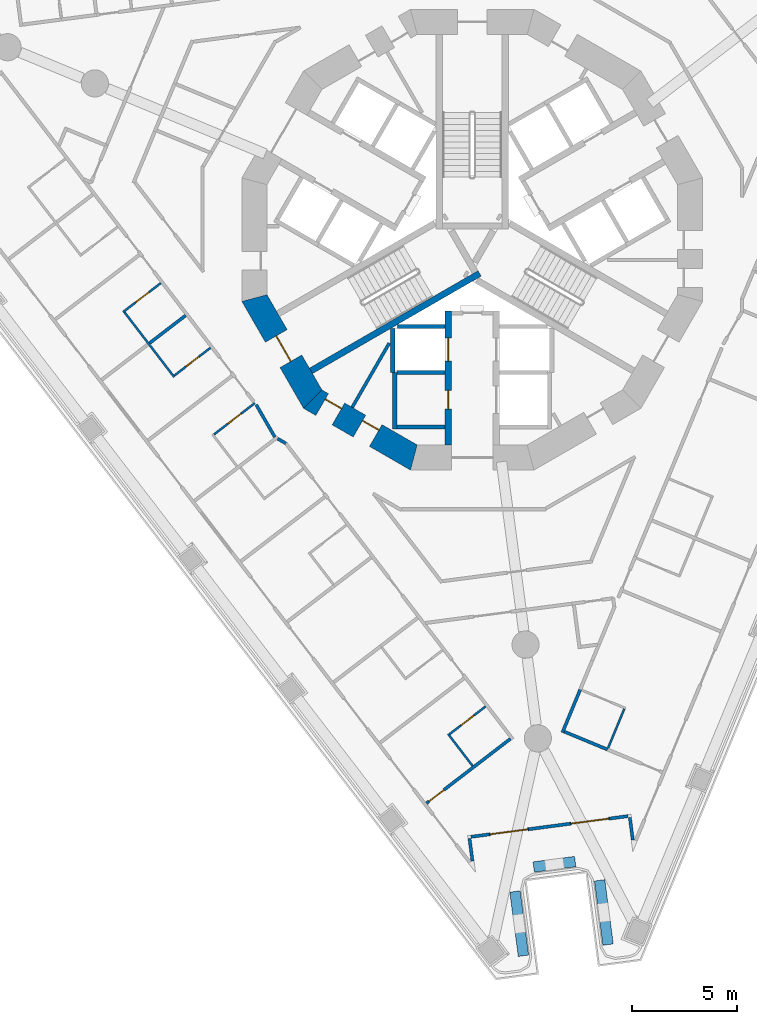
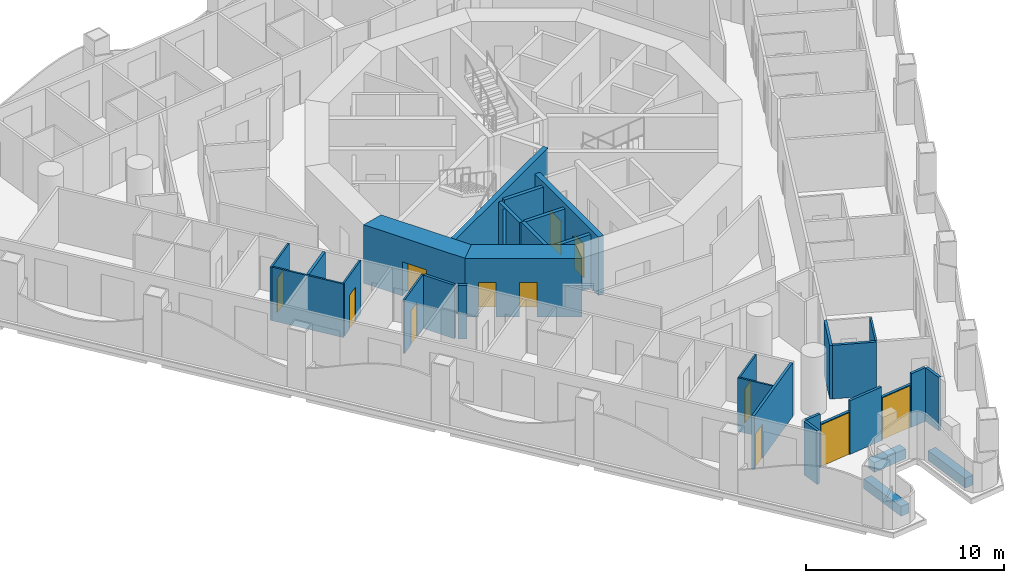
# One storey, part 3 of 19: 33 walls, 12 doors, 12 openings.
"""IFC4 building model written with IfcOpenShell, lengths in metres."""

from ifc_helpers import new_model, si_unit, direction, frame, frame_2d, origin, place, context, subcontext, project, spatial, polyline, rectangle, outline, extrude, material, layer, layer_set, type_object, element, fill, save


model = new_model("IFC4")

# Units and contexts
model_context = context("Model", 3, precision=1e-05, world=origin(), true_north=direction((0.0, 1.0)))
body_context = subcontext(model_context, "Body", "Model", "MODEL_VIEW")
ifc_project = project(units=[si_unit("LENGTHUNIT", "METRE"), si_unit("AREAUNIT", "SQUARE_METRE"), si_unit("VOLUMEUNIT", "CUBIC_METRE"), si_unit("PLANEANGLEUNIT", "RADIAN"), si_unit("MASSUNIT", "GRAM", prefix="KILO")], contexts=[model_context])

# Site, building, storey
site_placement = place(None, origin())
site = spatial("IfcSite", under=ifc_project, at=site_placement, CompositionType="ELEMENT")
building_placement = place(site_placement, origin())
building = spatial("IfcBuilding", under=site, at=building_placement, Name="Trine Commons Tower", CompositionType="ELEMENT")
storey_placement = place(building_placement, frame((0.0, 0.0, 54.0)))
storey = spatial("IfcBuildingStorey", under=building, at=storey_placement, Name="L12", CompositionType="ELEMENT", Elevation=54.0)

# Walls
ifc_material_1 = material(Name="Plasterboard partition on steel studs", Category="steel")
ifc_layer_1 = layer(ifc_material_1, 0.14990234375)
ifc_layer_set_1 = layer_set([ifc_layer_1], Name="Plasterboard partition on steel studs")
wall_type_1 = type_object("IfcWallType", Name="Core room partition 150 mm, EI 60", PredefinedType="PARTITIONING", material=ifc_layer_set_1)
wall_1_placement = place(storey_placement, frame((74.260986328125, 54.48388671875, 0.0), z_axis=(0.0, 0.0, 1.0), x_axis=(0.500062019353, 0.865989593933, 0.0)))
element("IfcWall", 1, at=wall_1_placement, inside=storey, type_object=wall_type_1, Name="Core room partition L12", PredefinedType="PARTITIONING", context=body_context, shape_type="SweptSolid", body=[
    extrude(rectangle(XDim=3.54736328125, YDim=0.14990234375, at=frame_2d((1.773681640625, 0.0))), origin(), (0.0, 0.0, 1.0), 3.300048828125),
])
ifc_material_2 = material(Name="Aluminium-framed insulated wall panel", Category="aluminium")
ifc_layer_2 = layer(ifc_material_2, 0.14990234375)
ifc_layer_set_2 = layer_set([ifc_layer_2], Name="Aluminium-framed insulated wall panel")
wall_type_2 = type_object("IfcWallType", Name="Glazed frame wall 150, EI 60", PredefinedType="SOLIDWALL", material=ifc_layer_set_2)
wall_2_placement = place(storey_placement, frame((87.6953125, 33.6591796875, 0.0), z_axis=(0.0, 0.0, 1.0), x_axis=(-0.130510858064, 0.991446880033, 0.0)))
element("IfcWall", 2, at=wall_2_placement, inside=storey, type_object=wall_type_2, Name="Glazed frame wall R9", PredefinedType="SOLIDWALL", context=body_context, shape_type="SweptSolid", body=[
    extrude(outline(polyline([(0.1494140625, 0.074951171875), (0.1494140625, -0.074951171875), (1.235107421875, -0.074951171875), (1.235107421875, 0.074951171875), (0.1494140625, 0.074951171875)])), origin(), (0.0, 0.0, 1.0), 3.300048828125),
])
wall_3_placement = place(storey_placement, frame((87.55908203125, 34.96240234375, 0.0), z_axis=(0.0, 0.0, 1.0), x_axis=(-0.991465094935, -0.130372410907, 0.0)))
element("IfcWall", 3, at=wall_3_placement, inside=storey, type_object=wall_type_2, Name="Glazed frame wall P3.1", PredefinedType="SOLIDWALL", context=body_context, shape_type="SweptSolid", body=[
    extrude(outline(polyline([(0.110107421875, -0.074951171875), (1.0, -0.074951171875), (1.0, 0.074951171875), (0.110107421875, 0.074951171875), (0.110107421875, -0.074951171875)])), origin(), (0.0, 0.0, 1.0), 3.300048828125),
])

# Wall, opening, door
wall_4_placement = place(storey_placement, frame((86.567626953125, 34.83203125, 0.0), z_axis=(0.0, 0.0, 1.0), x_axis=(-0.991442045538, -0.130547578832, 0.0)))
wall_4 = element("IfcWall", 4, at=wall_4_placement, inside=storey, type_object=wall_type_2, Name="Glazed frame wall P3.2", PredefinedType="SOLIDWALL", context=body_context, shape_type="SweptSolid", body=[
    extrude(outline(polyline([(0.0, -0.074951171875), (1.89990234375, -0.074951171875), (1.89990234375, 0.074951171875), (0.0, 0.074951171875), (0.0, -0.074951171875)])), origin(), (0.0, 0.0, 1.0), 2.64990234375),
])
opening_1_placement = place(wall_4_placement, frame((0.050048828125, 0.0, 0.0)))
opening_1 = element("IfcOpeningElement", 5, at=opening_1_placement, cuts=wall_4, Name="Opening BD-2P3-01", PredefinedType="OPENING", context=body_context, shape_type="SweptSolid", body=[
    extrude(rectangle(XDim=1.800048828125, YDim=2.60009765625, at=frame_2d((0.89990234375, 1.300048828125))), frame((0.0, 0.0849609375, 0.0), z_axis=(0.0, -1.0, 0.0), x_axis=(1.0, 0.0, 0.0)), (0.0, 0.0, 1.0), 0.169921875),
])
ifc_material_3 = material(Name="Anodised aluminium frame with double glazing", Category="aluminium")
door_type_1 = type_object("IfcDoorType", Name="Sliding loggia door 1800x2600", OperationType="SLIDING_TO_LEFT", PredefinedType="DOOR", material=ifc_material_3)
door_1_placement = place(opening_1_placement, origin())
door_1 = element("IfcDoor", 6, at=door_1_placement, inside=storey, type_object=door_type_1, Name="Loggia door P3 1", OperationType="SLIDING_TO_LEFT", OverallHeight=2.60009765625, OverallWidth=1.800048828125, PredefinedType="DOOR", context=body_context, shape_type="SweptSolid", body=[
    extrude(rectangle(XDim=1.800048828125, YDim=2.60009765625, at=frame_2d((0.89990234375, 1.300048828125))), frame((0.0, 0.02490234375, 0.0), z_axis=(0.0, -1.0, 0.0), x_axis=(1.0, 0.0, 0.0)), (0.0, 0.0, 1.0), 0.050048828125),
])
fill(opening_1, door_1)

# Wall
wall_5_placement = place(storey_placement, frame((84.683837890625, 34.583984375, 0.0), z_axis=(0.0, 0.0, 1.0), x_axis=(-0.991449308994, -0.130492404742, 0.0)))
element("IfcWall", 7, at=wall_5_placement, inside=storey, type_object=wall_type_2, Name="Glazed frame wall P3.3", PredefinedType="SOLIDWALL", context=body_context, shape_type="SweptSolid", body=[
    extrude(outline(polyline([(0.0, -0.074951171875), (2.0, -0.074951171875), (2.0, 0.074951171875), (0.0, 0.074951171875), (0.0, -0.074951171875)])), origin(), (0.0, 0.0, 1.0), 3.300048828125),
])

# Wall, opening, door
wall_6_placement = place(storey_placement, frame((82.700927734375, 34.322998046875, 0.0), z_axis=(0.0, 0.0, 1.0), x_axis=(-0.991442045538, -0.130547578832, 0.0)))
wall_6 = element("IfcWall", 8, at=wall_6_placement, inside=storey, type_object=wall_type_2, Name="Glazed frame wall P3.4", PredefinedType="SOLIDWALL", context=body_context, shape_type="SweptSolid", body=[
    extrude(outline(polyline([(0.0, -0.074951171875), (1.89990234375, -0.074951171875), (1.89990234375, 0.074951171875), (0.0, 0.074951171875), (0.0, -0.074951171875)])), origin(), (0.0, 0.0, 1.0), 2.64990234375),
])
opening_2_placement = place(wall_6_placement, frame((0.050048828125, 0.0, 0.0)))
opening_2 = element("IfcOpeningElement", 9, at=opening_2_placement, cuts=wall_6, Name="Opening BD-2P3-02", PredefinedType="OPENING", context=body_context, shape_type="SweptSolid", body=[
    extrude(rectangle(XDim=1.800048828125, YDim=2.60009765625, at=frame_2d((0.89990234375, 1.300048828125))), frame((0.0, 0.0849609375, 0.0), z_axis=(0.0, -1.0, 0.0), x_axis=(1.0, 0.0, 0.0)), (0.0, 0.0, 1.0), 0.169921875),
])
door_2_placement = place(opening_2_placement, origin())
door_2 = element("IfcDoor", 10, at=door_2_placement, inside=storey, type_object=door_type_1, Name="Loggia door P3 2", OperationType="SLIDING_TO_LEFT", OverallHeight=2.60009765625, OverallWidth=1.800048828125, PredefinedType="DOOR", context=body_context, shape_type="SweptSolid", body=[
    extrude(rectangle(XDim=1.800048828125, YDim=2.60009765625, at=frame_2d((0.89990234375, 1.300048828125))), frame((0.0, 0.02490234375, 0.0), z_axis=(0.0, -1.0, 0.0), x_axis=(1.0, 0.0, 0.0)), (0.0, 0.0, 1.0), 0.050048828125),
])
fill(opening_2, door_2)

# Walls
wall_7_placement = place(storey_placement, frame((80.817138671875, 34.074951171875, 0.0), z_axis=(0.0, 0.0, 1.0), x_axis=(-0.991433509034, -0.130612392842, 0.0)))
element("IfcWall", 11, at=wall_7_placement, inside=storey, type_object=wall_type_2, Name="Glazed frame wall P3.5", PredefinedType="SOLIDWALL", context=body_context, shape_type="SweptSolid", body=[
    extrude(outline(polyline([(0.889892578125, 0.074951171875), (0.0, 0.074951171875), (0.0, -0.074951171875), (0.889892578125, -0.074951171875), (0.889892578125, 0.074951171875)])), origin(), (0.0, 0.0, 1.0), 3.300048828125),
])
wall_8_placement = place(storey_placement, frame((79.85595703125, 33.983642578125, 0.0), z_axis=(0.0, 0.0, 1.0), x_axis=(0.130510858064, -0.991446880033, 0.0)))
element("IfcWall", 12, at=wall_8_placement, inside=storey, type_object=wall_type_2, Name="Glazed frame wall R11", PredefinedType="SOLIDWALL", context=body_context, shape_type="SweptSolid", body=[
    extrude(outline(polyline([(0.110107421875, 0.074951171875), (0.110107421875, -0.074951171875), (1.19580078125, -0.074951171875), (1.19580078125, 0.074951171875), (0.110107421875, 0.074951171875)])), origin(), (0.0, 0.0, 1.0), 3.300048828125),
])
ifc_material_4 = material(Name="Planter trough, precast concrete C40/50", Category="concrete")
ifc_layer_3 = layer(ifc_material_4, 0.5)
ifc_layer_set_3 = layer_set([ifc_layer_3], Name="Planter trough, precast concrete C40/50")
wall_type_3 = type_object("IfcWallType", Name="Planter trough 500x600", PredefinedType="PARAPET", material=ifc_layer_set_3)
wall_9_placement = place(storey_placement, frame((86.493408203125, 28.805908203125, 0.0), z_axis=(0.0, 0.0, 1.0), x_axis=(-0.130507484591, 0.9914473241, 0.0)))
element("IfcWall", 13, at=wall_9_placement, inside=storey, type_object=wall_type_3, Name="Planter 7", PredefinedType="PARAPET", context=body_context, shape_type="SweptSolid", body=[
    extrude(rectangle(XDim=3.099853515625, YDim=0.5, at=frame_2d((1.5498046875, 0.0))), origin(), (0.0, 0.0, 1.0), 0.60009765625),
])
wall_10_placement = place(storey_placement, frame((84.922119140625, 32.774658203125, 0.0), z_axis=(0.0, 0.0, 1.0), x_axis=(-0.991433509034, -0.130612392842, 0.0)))
element("IfcWall", 14, at=wall_10_placement, inside=storey, type_object=wall_type_3, Name="Planter 8", PredefinedType="PARAPET", context=body_context, shape_type="SweptSolid", body=[
    extrude(rectangle(XDim=2.0, YDim=0.5, at=frame_2d((1.0, 0.0))), origin(), (0.0, 0.0, 1.0), 0.60009765625),
])
wall_11_placement = place(storey_placement, frame((82.043701171875, 31.3466796875, 0.0), z_axis=(0.0, 0.0, 1.0), x_axis=(0.130574707151, -0.991438473054, 0.0)))
element("IfcWall", 15, at=wall_11_placement, inside=storey, type_object=wall_type_3, Name="Planter 9", PredefinedType="PARAPET", context=body_context, shape_type="SweptSolid", body=[
    extrude(rectangle(XDim=3.10009765625, YDim=0.5, at=frame_2d((1.550048828125, 0.0))), origin(), (0.0, 0.0, 1.0), 0.60009765625),
])

# Wall, opening, door
ifc_material_5 = material(Name="Concrete C80/95", Category="concrete")
ifc_layer_4 = layer(ifc_material_5, 1.199951171875)
ifc_layer_set_4 = layer_set([ifc_layer_4], Name="Concrete C80/95")
wall_type_4 = type_object("IfcWallType", Name="RC shear wall 1200 mm, C80/95", PredefinedType="SHEAR", material=ifc_layer_set_4)
wall_12_placement = place(storey_placement, frame((69.508056640625, 59.849609375, 0.0), z_axis=(0.0, 0.0, 1.0), x_axis=(0.499979111662, -0.866037463336, 0.0)))
wall_12 = element("IfcWall", 16, at=wall_12_placement, inside=storey, type_object=wall_type_4, Name="Core wall CWB-08 L12", PredefinedType="SHEAR", context=body_context, shape_type="SweptSolid", body=[
    extrude(outline(polyline([(0.0, -0.60009765625), (5.901123046875, -0.60009765625), (5.57958984375, 0.60009765625), (0.321533203125, 0.60009765625), (0.0, -0.60009765625)])), origin(), (0.0, 0.0, 1.0), 3.60009765625),
])
opening_3_placement = place(wall_12_placement, frame((2.25048828125, 0.0, 0.0)))
opening_3 = element("IfcOpeningElement", 17, at=opening_3_placement, cuts=wall_12, Name="Opening K07.02", PredefinedType="OPENING", context=body_context, shape_type="SweptSolid", body=[
    extrude(rectangle(XDim=1.39990234375, YDim=2.10009765625, at=frame_2d((0.699951171875, 1.050048828125))), frame((0.0, 0.60986328125, 0.0), z_axis=(0.0, -1.0, 0.0), x_axis=(1.0, 0.0, 0.0)), (0.0, 0.0, 1.0), 1.219970703125),
])
ifc_material_6 = material(Name="Steel door leaves, fire-rated", Category="steel")
door_type_2 = type_object("IfcDoorType", Name="Stair door, double leaf 1400 x 2100, FD90", OperationType="DOUBLE_DOOR_SINGLE_SWING", PredefinedType="DOOR", material=ifc_material_6)
door_3_placement = place(opening_3_placement, origin())
door_3 = element("IfcDoor", 18, at=door_3_placement, inside=storey, type_object=door_type_2, Name="Stair door to Exit stair ST2A L12", OperationType="DOUBLE_DOOR_SINGLE_SWING", OverallHeight=2.10009765625, OverallWidth=1.39990234375, PredefinedType="DOOR", context=body_context, shape_type="SweptSolid", body=[
    extrude(rectangle(XDim=1.39990234375, YDim=2.10009765625, at=frame_2d((0.699951171875, 1.050048828125))), frame((0.0, 0.02490234375, 0.0), z_axis=(0.0, -1.0, 0.0), x_axis=(1.0, 0.0, 0.0)), (0.0, 0.0, 1.0), 0.050048828125),
])
fill(opening_3, door_3)

# Wall, openings, doors
wall_13_placement = place(storey_placement, frame((72.239013671875, 54.95849609375, 0.0), z_axis=(0.0, 0.0, 1.0), x_axis=(0.866037463336, -0.499979111662, 0.0)))
wall_13 = element("IfcWall", 19, at=wall_13_placement, inside=storey, type_object=wall_type_4, Name="Core wall CWB-09 L12", PredefinedType="SHEAR", context=body_context, shape_type="SweptSolid", body=[
    extrude(outline(polyline([(0.0, -0.60009765625), (5.901123046875, -0.60009765625), (5.57958984375, 0.60009765625), (0.321533203125, 0.60009765625), (0.0, -0.60009765625)])), origin(), (0.0, 0.0, 1.0), 3.60009765625),
])
opening_4_placement = place(wall_13_placement, frame((0.676513671875, 0.0, 0.0)))
opening_4 = element("IfcOpeningElement", 20, at=opening_4_placement, cuts=wall_13, Name="Opening K07.15", PredefinedType="OPENING", context=body_context, shape_type="SweptSolid", body=[
    extrude(rectangle(XDim=0.89990234375, YDim=2.10009765625, at=frame_2d((0.449951171875, 1.050048828125))), frame((0.0, 0.60986328125, 0.0), z_axis=(0.0, -1.0, 0.0), x_axis=(1.0, 0.0, 0.0)), (0.0, 0.0, 1.0), 1.219970703125),
])
opening_5_placement = place(wall_13_placement, frame((2.738525390625, 0.0, 0.0)))
opening_5 = element("IfcOpeningElement", 21, at=opening_5_placement, cuts=wall_13, Name="Opening K07.16", PredefinedType="OPENING", context=body_context, shape_type="SweptSolid", body=[
    extrude(rectangle(XDim=0.89990234375, YDim=2.10009765625, at=frame_2d((0.449951171875, 1.050048828125))), frame((0.0, 0.60986328125, 0.0), z_axis=(0.0, -1.0, 0.0), x_axis=(1.0, 0.0, 0.0)), (0.0, 0.0, 1.0), 1.219970703125),
])
ifc_material_7 = material(Name="Steel door leaf, fire-rated", Category="steel")
door_type_3 = type_object("IfcDoorType", Name="Core room door, single leaf 900 x 2100, FD30S", OperationType="SINGLE_SWING_LEFT", PredefinedType="DOOR", material=ifc_material_7)
door_4_placement = place(opening_4_placement, origin())
door_4 = element("IfcDoor", 22, at=door_4_placement, inside=storey, type_object=door_type_3, Name="Door to Cleaner's store L12", OperationType="SINGLE_SWING_LEFT", OverallHeight=2.10009765625, OverallWidth=0.89990234375, PredefinedType="DOOR", context=body_context, shape_type="SweptSolid", body=[
    extrude(rectangle(XDim=0.89990234375, YDim=2.10009765625, at=frame_2d((0.449951171875, 1.050048828125))), frame((0.0, 0.3251953125, 0.0), z_axis=(0.0, -1.0, 0.0), x_axis=(1.0, 0.0, 0.0)), (0.0, 0.0, 1.0), 0.050048828125),
])
fill(opening_4, door_4)
door_5_placement = place(opening_5_placement, origin())
door_5 = element("IfcDoor", 23, at=door_5_placement, inside=storey, type_object=door_type_3, Name="Door to Accessible WC L12", OperationType="SINGLE_SWING_RIGHT", OverallHeight=2.10009765625, OverallWidth=0.89990234375, PredefinedType="DOOR", context=body_context, shape_type="SweptSolid", body=[
    extrude(rectangle(XDim=0.89990234375, YDim=2.10009765625, at=frame_2d((0.449951171875, 1.050048828125))), frame((0.0, 0.3251953125, 0.0), z_axis=(0.0, -1.0, 0.0), x_axis=(1.0, 0.0, 0.0)), (0.0, 0.0, 1.0), 0.050048828125),
])
fill(opening_5, door_5)

ifc_layer_5 = layer(ifc_material_5, 0.300048828125)
ifc_layer_set_5 = layer_set([ifc_layer_5], Name="Concrete C80/95")
wall_type_5 = type_object("IfcWallType", Name="RC shear wall 300 mm, C80/95", PredefinedType="SHEAR", material=ifc_layer_set_5)
wall_14_placement = place(storey_placement, frame((78.85009765625, 59.10009765625, 0.0), z_axis=(0.0, 0.0, 1.0), x_axis=(0.0, -1.0, 0.0)))
wall_14 = element("IfcWall", 24, at=wall_14_placement, inside=storey, type_object=wall_type_5, Name="Core cross wall SWA-03 L12", PredefinedType="SHEAR", context=body_context, shape_type="SweptSolid", body=[
    extrude(rectangle(XDim=6.412109375, YDim=0.300048828125, at=frame_2d((3.2060546875, 0.0))), origin(), (0.0, 0.0, 1.0), 3.60009765625),
])
opening_6_placement = place(wall_14_placement, frame((3.800048828125, 0.0, 0.0)))
opening_6 = element("IfcOpeningElement", 25, at=opening_6_placement, cuts=wall_14, Name="Opening K07.10", PredefinedType="OPENING", context=body_context, shape_type="SweptSolid", body=[
    extrude(rectangle(XDim=0.89990234375, YDim=2.10009765625, at=frame_2d((0.449951171875, 1.050048828125))), frame((0.0, 0.159912109375, 0.0), z_axis=(0.0, -1.0, 0.0), x_axis=(1.0, 0.0, 0.0)), (0.0, 0.0, 1.0), 0.320068359375),
])
opening_7_placement = place(wall_14_placement, frame((1.300048828125, 0.0, 0.0)))
opening_7 = element("IfcOpeningElement", 26, at=opening_7_placement, cuts=wall_14, Name="Opening LD10", PredefinedType="OPENING", context=body_context, shape_type="SweptSolid", body=[
    extrude(rectangle(XDim=1.10009765625, YDim=2.10009765625, at=frame_2d((0.550048828125, 1.050048828125))), frame((0.0, 0.159912109375, 0.0), z_axis=(0.0, -1.0, 0.0), x_axis=(1.0, 0.0, 0.0)), (0.0, 0.0, 1.0), 0.320068359375),
])
door_6_placement = place(opening_6_placement, frame((0.89990234375, 0.0, 0.0), z_axis=(0.0, 0.0, 1.0), x_axis=(-1.0, 0.0, 0.0)))
door_6 = element("IfcDoor", 27, at=door_6_placement, inside=storey, type_object=door_type_3, Name="Door to Linen store L12", OperationType="SINGLE_SWING_RIGHT", OverallHeight=2.10009765625, OverallWidth=0.89990234375, PredefinedType="DOOR", context=body_context, shape_type="SweptSolid", body=[
    extrude(rectangle(XDim=0.89990234375, YDim=2.10009765625, at=frame_2d((0.449951171875, 1.050048828125))), frame((0.0, 0.02490234375, 0.0), z_axis=(0.0, -1.0, 0.0), x_axis=(1.0, 0.0, 0.0)), (0.0, 0.0, 1.0), 0.050048828125),
])
fill(opening_6, door_6)
ifc_material_8 = material(Name="Stainless steel sliding door leaves", Category="steel")
door_type_4 = type_object("IfcDoorType", Name="Lift landing door, centre-opening sliding 1100 x 2100, FD90", OperationType="DOUBLE_DOOR_SLIDING", PredefinedType="DOOR", material=ifc_material_8)
door_7_placement = place(opening_7_placement, origin())
door_7 = element("IfcDoor", 28, at=door_7_placement, inside=storey, type_object=door_type_4, Name="Lift landing door FF2 L12", OperationType="DOUBLE_DOOR_SLIDING", OverallHeight=2.10009765625, OverallWidth=1.10009765625, PredefinedType="DOOR", context=body_context, shape_type="SweptSolid", body=[
    extrude(rectangle(XDim=1.10009765625, YDim=2.10009765625, at=frame_2d((0.550048828125, 1.050048828125))), frame((0.0, 0.02490234375, 0.0), z_axis=(0.0, -1.0, 0.0), x_axis=(1.0, 0.0, 0.0)), (0.0, 0.0, 1.0), 0.050048828125),
])
fill(opening_7, door_7)

# Walls
wall_15_placement = place(storey_placement, frame((80.35400390625, 60.885986328125, 0.0), z_axis=(0.0, 0.0, 1.0), x_axis=(-0.865986456211, -0.50006745311, 0.0)))
element("IfcWall", 29, at=wall_15_placement, inside=storey, type_object=wall_type_5, Name="Core cross wall SWA-14 L12", PredefinedType="SHEAR", context=body_context, shape_type="SweptSolid", body=[
    extrude(rectangle(XDim=9.310791015625, YDim=0.300048828125, at=frame_2d((4.6552734375, 0.0))), origin(), (0.0, 0.0, 1.0), 3.60009765625),
])
ifc_material_9 = material(Name="Fire-rated gypsum shaft wall system")
ifc_layer_6 = layer(ifc_material_9, 0.199951171875)
ifc_layer_set_6 = layer_set([ifc_layer_6], Name="Fire-rated gypsum shaft wall system")
wall_type_6 = type_object("IfcWallType", Name="Shaft wall 200 mm, EI 120", PredefinedType="PARTITIONING", material=ifc_layer_set_6)
wall_16_placement = place(storey_placement, frame((76.199951171875, 58.256103515625, 0.0), z_axis=(0.0, 0.0, 1.0), x_axis=(0.0, -1.0, 0.0)))
element("IfcWall", 30, at=wall_16_placement, inside=storey, type_object=wall_type_6, Name="Shaft wall L12", PredefinedType="PARTITIONING", context=body_context, shape_type="SweptSolid", body=[
    extrude(rectangle(XDim=2.106201171875, YDim=0.199951171875, at=frame_2d((1.05322265625, 0.0))), origin(), (0.0, 0.0, 1.0), 3.300048828125),
])
wall_17_placement = place(storey_placement, frame((76.300048828125, 56.14990234375, 0.0), z_axis=(0.0, 0.0, 1.0), x_axis=(0.0, -1.0, 0.0)))
element("IfcWall", 31, at=wall_17_placement, inside=storey, type_object=wall_type_6, Name="Shaft wall L12", PredefinedType="PARTITIONING", context=body_context, shape_type="SweptSolid", body=[
    extrude(rectangle(XDim=2.699951171875, YDim=0.199951171875, at=frame_2d((1.35009765625, 0.0))), origin(), (0.0, 0.0, 1.0), 3.300048828125),
])
for number, where, z_axis, x_axis, name in (
    (32, (78.699951171875, 53.550048828125, 0.0), (0.0, 0.0, 1.0), (-1.0, 0.0, 0.0), "Shaft wall L12"),
    (33, (78.699951171875, 56.14990234375, 0.0), (0.0, 0.0, 1.0), (-1.0, 0.0, 0.0), "Shaft wall L12"),
):
    element("IfcWall", number, at=place(storey_placement, frame(where, z_axis=z_axis, x_axis=x_axis)), inside=storey, type_object=wall_type_6, Name=name, PredefinedType="PARTITIONING", context=body_context, shape_type="SweptSolid", body=[
        extrude(rectangle(XDim=2.300048828125, YDim=0.199951171875, at=frame_2d((1.14990234375, 0.0))), origin(), (0.0, 0.0, 1.0), 3.300048828125),
    ])
wall_18_placement = place(storey_placement, frame((78.699951171875, 58.35009765625, 0.0), z_axis=(0.0, 0.0, 1.0), x_axis=(-1.0, 0.0, 0.0)))
element("IfcWall", 34, at=wall_18_placement, inside=storey, type_object=wall_type_6, Name="Shaft wall L12", PredefinedType="PARTITIONING", context=body_context, shape_type="SweptSolid", body=[
    extrude(rectangle(XDim=2.264892578125, YDim=0.199951171875, at=frame_2d((1.13232421875, 0.0))), origin(), (0.0, 0.0, 1.0), 3.300048828125),
])
ifc_material_10 = material(Name="Gypsum plasterboard on steel stud", Category="steel")
ifc_layer_7 = layer(ifc_material_10, 0.14990234375)
ifc_layer_set_7 = layer_set([ifc_layer_7], Name="Gypsum plasterboard on steel stud")
wall_type_7 = type_object("IfcWallType", Name="Unit and corridor wall 150 mm, EI 60", PredefinedType="PARTITIONING", material=ifc_layer_set_7)
wall_19_placement = place(storey_placement, frame((64.57568359375, 57.554443359375, 0.0), z_axis=(0.0, 0.0, 1.0), x_axis=(0.79342025342, 0.608674216197, 0.0)))
element("IfcWall", 35, at=wall_19_placement, inside=storey, type_object=wall_type_7, Name="Partition 032", PredefinedType="PARTITIONING", context=body_context, shape_type="SweptSolid", body=[
    extrude(rectangle(XDim=2.17529296875, YDim=0.14990234375, at=frame_2d((1.087646484375, 0.0))), origin(), (0.0, 0.0, 1.0), 3.300048828125),
])
wall_20_placement = place(storey_placement, frame((69.674072265625, 54.612060546875, 0.0), z_axis=(0.0, 0.0, 1.0), x_axis=(0.499655352634, -0.866224294616, 0.0)))
element("IfcWall", 36, at=wall_20_placement, inside=storey, type_object=wall_type_7, Name="Partition 054", PredefinedType="PARTITIONING", context=body_context, shape_type="SweptSolid", body=[
    extrude(rectangle(XDim=1.784912109375, YDim=0.14990234375, at=frame_2d((0.892578125, 0.0))), origin(), (0.0, 0.0, 1.0), 3.300048828125),
])
wall_21_placement = place(storey_placement, frame((70.701904296875, 52.987548828125, 0.0), z_axis=(0.0, 0.0, 1.0), x_axis=(0.866382612495, -0.499380785339, 0.0)))
element("IfcWall", 37, at=wall_21_placement, inside=storey, type_object=wall_type_7, Name="Partition 057", PredefinedType="PARTITIONING", context=body_context, shape_type="SweptSolid", body=[
    extrude(rectangle(XDim=0.45361328125, YDim=0.14990234375, at=frame_2d((0.226806640625, 0.0))), origin(), (0.0, 0.0, 1.0), 3.300048828125),
])

# Wall, opening, door
wall_22_placement = place(storey_placement, frame((77.810791015625, 35.560302734375, 0.0), z_axis=(0.0, 0.0, 1.0), x_axis=(0.793261664916, 0.60888088406, 0.0)))
wall_22 = element("IfcWall", 38, at=wall_22_placement, inside=storey, type_object=wall_type_7, Name="Partition 079", PredefinedType="PARTITIONING", context=body_context, shape_type="SweptSolid", body=[
    extrude(rectangle(XDim=5.0634765625, YDim=0.14990234375, at=frame_2d((2.53173828125, 0.0))), origin(), (0.0, 0.0, 1.0), 3.300048828125),
])
opening_8_placement = place(wall_22_placement, frame((0.14990234375, 0.0, 0.0)))
opening_8 = element("IfcOpeningElement", 39, at=opening_8_placement, cuts=wall_22, Name="Opening D-2A26", PredefinedType="OPENING", context=body_context, shape_type="SweptSolid", body=[
    extrude(rectangle(XDim=0.89990234375, YDim=2.10009765625, at=frame_2d((0.449951171875, 1.050048828125))), frame((0.0, 0.0849609375, 0.0), z_axis=(0.0, -1.0, 0.0), x_axis=(1.0, 0.0, 0.0)), (0.0, 0.0, 1.0), 0.169921875),
])
ifc_material_11 = material(Name="Timber fire door set", Category="wood")
door_type_5 = type_object("IfcDoorType", Name="Bedroom door 900 x 2100, FD30S", OperationType="NOTDEFINED", PredefinedType="DOOR", material=ifc_material_11)
door_8_placement = place(opening_8_placement, origin())
door_8 = element("IfcDoor", 40, at=door_8_placement, inside=storey, type_object=door_type_5, Name="Door D-2A26", OperationType="SINGLE_SWING_LEFT", OverallHeight=2.10009765625, OverallWidth=0.89990234375, PredefinedType="DOOR", context=body_context, shape_type="SweptSolid", body=[
    extrude(rectangle(XDim=0.89990234375, YDim=2.10009765625, at=frame_2d((0.449951171875, 1.050048828125))), frame((0.0, 0.02490234375, 0.0), z_axis=(0.0, -1.0, 0.0), x_axis=(1.0, 0.0, 0.0)), (0.0, 0.0, 1.0), 0.050048828125),
])
fill(opening_8, door_8)

# Walls
wall_23_placement = place(storey_placement, frame((84.310302734375, 38.941650390625, 0.0), z_axis=(0.0, 0.0, 1.0), x_axis=(0.382789938294, 0.923835409118, 0.0)))
element("IfcWall", 41, at=wall_23_placement, inside=storey, type_object=wall_type_7, Name="Partition 094", PredefinedType="PARTITIONING", context=body_context, shape_type="SweptSolid", body=[
    extrude(rectangle(XDim=2.280029296875, YDim=0.14990234375, at=frame_2d((1.14013671875, 0.0))), origin(), (0.0, 0.0, 1.0), 3.300048828125),
])
wall_24_placement = place(storey_placement, frame((84.408203125, 38.982421875, 0.0), z_axis=(0.0, 0.0, 1.0), x_axis=(0.923765743921, -0.382958026888, 0.0)))
element("IfcWall", 42, at=wall_24_placement, inside=storey, type_object=wall_type_7, Name="Partition 095", PredefinedType="PARTITIONING", context=body_context, shape_type="SweptSolid", body=[
    extrude(rectangle(XDim=2.228759765625, YDim=0.14990234375, at=frame_2d((1.1142578125, 0.0))), origin(), (0.0, 0.0, 1.0), 3.300048828125),
])

# Wall, opening, door
ifc_layer_8 = layer(ifc_material_10, 0.10009765625)
ifc_layer_set_8 = layer_set([ifc_layer_8], Name="Gypsum plasterboard on steel stud")
wall_type_8 = type_object("IfcWallType", Name="Unit partition 100 mm, no rating", PredefinedType="PARTITIONING", material=ifc_layer_set_8)
wall_25_placement = place(storey_placement, frame((63.309326171875, 59.04052734375, 0.0), z_axis=(0.0, 0.0, 1.0), x_axis=(0.793437070432, 0.608652294224, 0.0)))
wall_25 = element("IfcWall", 43, at=wall_25_placement, inside=storey, type_object=wall_type_8, Name="Partition 023", PredefinedType="PARTITIONING", context=body_context, shape_type="SweptSolid", body=[
    extrude(rectangle(XDim=2.275146484375, YDim=0.10009765625, at=frame_2d((1.1376953125, 0.0))), origin(), (0.0, 0.0, 1.0), 3.300048828125),
])
opening_9_placement = place(wall_25_placement, frame((0.762451171875, 0.0, 0.0)))
opening_9 = element("IfcOpeningElement", 44, at=opening_9_placement, cuts=wall_25, Name="Opening D-2A63", PredefinedType="OPENING", context=body_context, shape_type="SweptSolid", body=[
    extrude(rectangle(XDim=0.800048828125, YDim=2.10009765625, at=frame_2d((0.39990234375, 1.050048828125))), frame((0.0, 0.06005859375, 0.0), z_axis=(0.0, -1.0, 0.0), x_axis=(1.0, 0.0, 0.0)), (0.0, 0.0, 1.0), 0.1201171875),
])
ifc_material_12 = material(Name="Painted timber", Category="wood")
door_type_6 = type_object("IfcDoorType", Name="Internal door 800 x 2100, NOT RATED", OperationType="NOTDEFINED", PredefinedType="DOOR", material=ifc_material_12)
door_9_placement = place(opening_9_placement, origin())
door_9 = element("IfcDoor", 45, at=door_9_placement, inside=storey, type_object=door_type_6, Name="Door D-2A63", OperationType="SINGLE_SWING_RIGHT", OverallHeight=2.10009765625, OverallWidth=0.800048828125, PredefinedType="DOOR", context=body_context, shape_type="SweptSolid", body=[
    extrude(rectangle(XDim=0.800048828125, YDim=2.10009765625, at=frame_2d((0.39990234375, 1.050048828125))), frame((0.0, 0.02490234375, 0.0), z_axis=(0.0, -1.0, 0.0), x_axis=(1.0, 0.0, 0.0)), (0.0, 0.0, 1.0), 0.050048828125),
])
fill(opening_9, door_9)

# Wall
wall_26_placement = place(storey_placement, frame((63.37939453125, 59.03125, 0.0), z_axis=(0.0, 0.0, 1.0), x_axis=(0.608627311208, -0.79345623449, 0.0)))
element("IfcWall", 46, at=wall_26_placement, inside=storey, type_object=wall_type_8, Name="Partition 024", PredefinedType="PARTITIONING", context=body_context, shape_type="SweptSolid", body=[
    extrude(rectangle(XDim=3.900634765625, YDim=0.10009765625, at=frame_2d((1.9501953125, 0.0))), origin(), (0.0, 0.0, 1.0), 3.300048828125),
])

# Wall, opening, door
wall_27_placement = place(storey_placement, frame((65.7626953125, 56.00634765625, 0.0), z_axis=(0.0, 0.0, 1.0), x_axis=(0.793203445283, 0.608956726206, 0.0)))
wall_27 = element("IfcWall", 47, at=wall_27_placement, inside=storey, type_object=wall_type_8, Name="Partition 038", PredefinedType="PARTITIONING", context=body_context, shape_type="SweptSolid", body=[
    extrude(rectangle(XDim=2.17578125, YDim=0.10009765625, at=frame_2d((1.087890625, 0.0))), origin(), (0.0, 0.0, 1.0), 3.300048828125),
])
opening_10_placement = place(wall_27_placement, frame((0.68798828125, 0.0, 0.0)))
opening_10 = element("IfcOpeningElement", 48, at=opening_10_placement, cuts=wall_27, Name="Opening D-2A62", PredefinedType="OPENING", context=body_context, shape_type="SweptSolid", body=[
    extrude(rectangle(XDim=0.800048828125, YDim=2.10009765625, at=frame_2d((0.39990234375, 1.050048828125))), frame((0.0, 0.06005859375, 0.0), z_axis=(0.0, -1.0, 0.0), x_axis=(1.0, 0.0, 0.0)), (0.0, 0.0, 1.0), 0.1201171875),
])
door_10_placement = place(opening_10_placement, frame((0.800048828125, 0.0, 0.0), z_axis=(0.0, 0.0, 1.0), x_axis=(-1.0, 0.0, 0.0)))
door_10 = element("IfcDoor", 49, at=door_10_placement, inside=storey, type_object=door_type_6, Name="Door D-2A62", OperationType="SINGLE_SWING_LEFT", OverallHeight=2.10009765625, OverallWidth=0.800048828125, PredefinedType="DOOR", context=body_context, shape_type="SweptSolid", body=[
    extrude(rectangle(XDim=0.800048828125, YDim=2.10009765625, at=frame_2d((0.39990234375, 1.050048828125))), frame((0.0, 0.02490234375, 0.0), z_axis=(0.0, -1.0, 0.0), x_axis=(1.0, 0.0, 0.0)), (0.0, 0.0, 1.0), 0.050048828125),
])
fill(opening_10, door_10)

wall_28_placement = place(storey_placement, frame((67.65478515625, 53.189453125, 0.0), z_axis=(0.0, 0.0, 1.0), x_axis=(0.79352183508, 0.608541779381, 0.0)))
wall_28 = element("IfcWall", 50, at=wall_28_placement, inside=storey, type_object=wall_type_8, Name="Partition 047", PredefinedType="PARTITIONING", context=body_context, shape_type="SweptSolid", body=[
    extrude(rectangle(XDim=2.464111328125, YDim=0.10009765625, at=frame_2d((1.23193359375, 0.0))), origin(), (0.0, 0.0, 1.0), 3.300048828125),
])
opening_11_placement = place(wall_28_placement, frame((0.83203125, 0.0, 0.0)))
opening_11 = element("IfcOpeningElement", 51, at=opening_11_placement, cuts=wall_28, Name="Opening D-2A61", PredefinedType="OPENING", context=body_context, shape_type="SweptSolid", body=[
    extrude(rectangle(XDim=0.800048828125, YDim=2.10009765625, at=frame_2d((0.39990234375, 1.050048828125))), frame((0.0, 0.06005859375, 0.0), z_axis=(0.0, -1.0, 0.0), x_axis=(1.0, 0.0, 0.0)), (0.0, 0.0, 1.0), 0.1201171875),
])
door_11_placement = place(opening_11_placement, origin())
door_11 = element("IfcDoor", 52, at=door_11_placement, inside=storey, type_object=door_type_6, Name="Door D-2A61", OperationType="SINGLE_SWING_LEFT", OverallHeight=2.10009765625, OverallWidth=0.800048828125, PredefinedType="DOOR", context=body_context, shape_type="SweptSolid", body=[
    extrude(rectangle(XDim=0.800048828125, YDim=2.10009765625, at=frame_2d((0.39990234375, 1.050048828125))), frame((0.0, 0.02490234375, 0.0), z_axis=(0.0, -1.0, 0.0), x_axis=(1.0, 0.0, 0.0)), (0.0, 0.0, 1.0), 0.050048828125),
])
fill(opening_11, door_11)

# Wall
wall_29_placement = place(storey_placement, frame((78.845703125, 38.875732421875, 0.0), z_axis=(0.0, 0.0, 1.0), x_axis=(0.608649853766, -0.793438942522, 0.0)))
element("IfcWall", 53, at=wall_29_placement, inside=storey, type_object=wall_type_8, Name="Partition 082", PredefinedType="PARTITIONING", context=body_context, shape_type="SweptSolid", body=[
    extrude(rectangle(XDim=1.925048828125, YDim=0.10009765625, at=frame_2d((0.96240234375, 0.0))), origin(), (0.0, 0.0, 1.0), 3.300048828125),
])

# Wall, opening, door
wall_30_placement = place(storey_placement, frame((78.915771484375, 38.866455078125, 0.0), z_axis=(0.0, 0.0, 1.0), x_axis=(0.793266438723, 0.608874664603, 0.0)))
wall_30 = element("IfcWall", 54, at=wall_30_placement, inside=storey, type_object=wall_type_8, Name="Partition 083", PredefinedType="PARTITIONING", context=body_context, shape_type="SweptSolid", body=[
    extrude(rectangle(XDim=2.174072265625, YDim=0.10009765625, at=frame_2d((1.0869140625, 0.0))), origin(), (0.0, 0.0, 1.0), 3.300048828125),
])
opening_12_placement = place(wall_30_placement, frame((0.687255859375, 0.0, 0.0)))
opening_12 = element("IfcOpeningElement", 55, at=opening_12_placement, cuts=wall_30, Name="Opening D-2A57", PredefinedType="OPENING", context=body_context, shape_type="SweptSolid", body=[
    extrude(rectangle(XDim=0.800048828125, YDim=2.10009765625, at=frame_2d((0.39990234375, 1.050048828125))), frame((0.0, 0.06005859375, 0.0), z_axis=(0.0, -1.0, 0.0), x_axis=(1.0, 0.0, 0.0)), (0.0, 0.0, 1.0), 0.1201171875),
])
door_12_placement = place(opening_12_placement, origin())
door_12 = element("IfcDoor", 56, at=door_12_placement, inside=storey, type_object=door_type_6, Name="Door D-2A57", OperationType="SINGLE_SWING_RIGHT", OverallHeight=2.10009765625, OverallWidth=0.800048828125, PredefinedType="DOOR", context=body_context, shape_type="SweptSolid", body=[
    extrude(rectangle(XDim=0.800048828125, YDim=2.10009765625, at=frame_2d((0.39990234375, 1.050048828125))), frame((0.0, 0.02490234375, 0.0), z_axis=(0.0, -1.0, 0.0), x_axis=(1.0, 0.0, 0.0)), (0.0, 0.0, 1.0), 0.050048828125),
])
fill(opening_12, door_12)

# Wall
wall_31_placement = place(storey_placement, frame((86.49267578125, 38.2001953125, 0.0), z_axis=(0.0, 0.0, 1.0), x_axis=(0.382646278951, 0.923894921084, 0.0)))
element("IfcWall", 57, at=wall_31_placement, inside=storey, type_object=wall_type_8, Name="Partition 110", PredefinedType="PARTITIONING", context=body_context, shape_type="SweptSolid", body=[
    extrude(rectangle(XDim=2.025634765625, YDim=0.10009765625, at=frame_2d((1.0126953125, 0.0))), origin(), (0.0, 0.0, 1.0), 3.300048828125),
])

save(model, "model.ifc")
